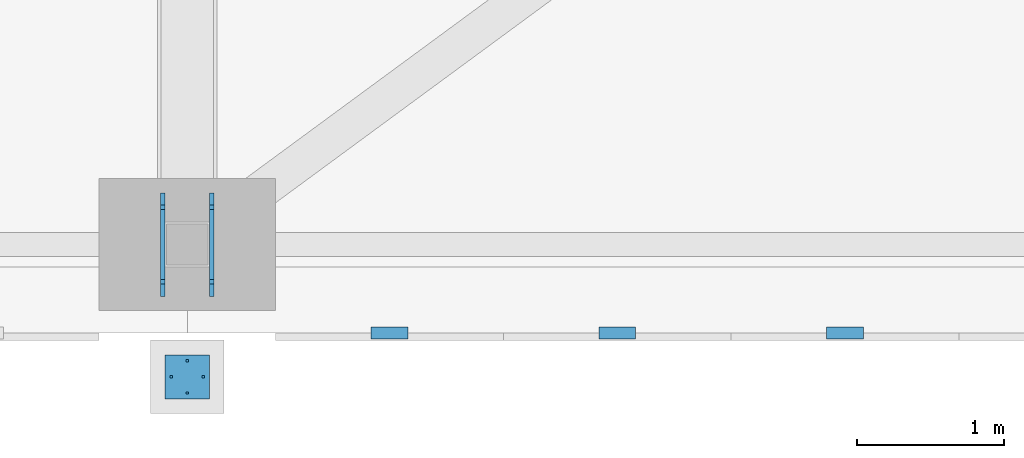
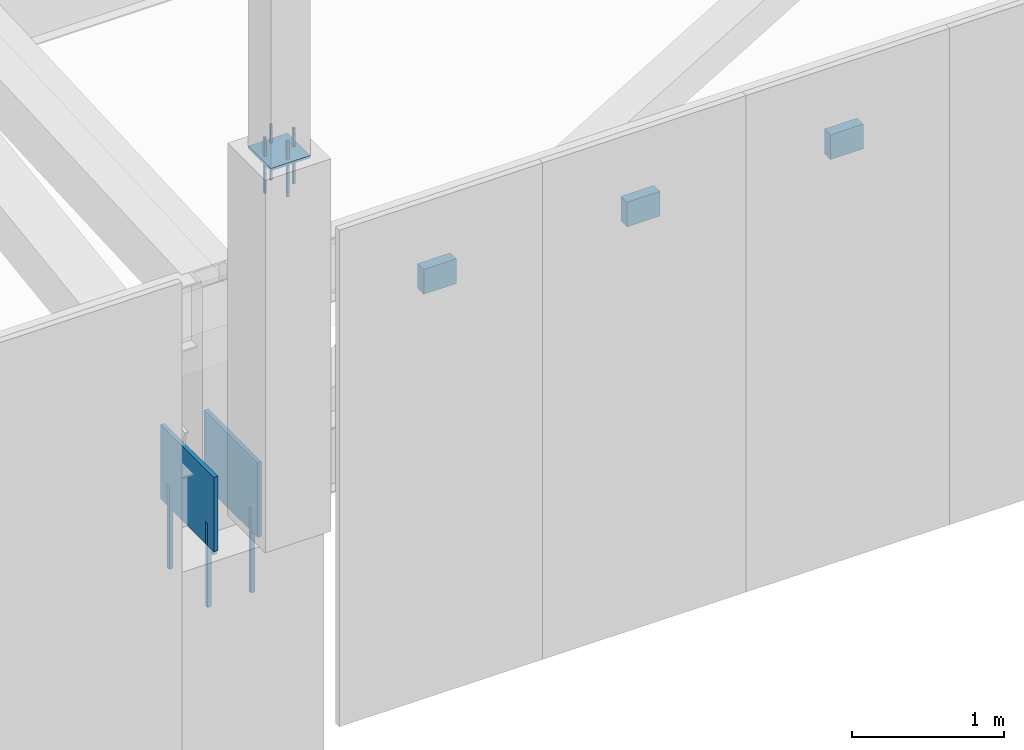
# One storey, part 131 of 278: 8 mechanical fasteners, 6 discrete accessories.
"""IFC4 building model written with IfcOpenShell, lengths in metres."""

from ifc_helpers import new_model, si_unit, direction, frame, origin, origin_2d, place, context, subcontext, project, spatial, rectangle, extrude, material, layer, layer_set, type_object, element, save


model = new_model("IFC4")

# Units and contexts
model_context = context("Model", 3, precision=1e-05, world=origin(), true_north=direction((0.0, 1.0)))
body_context = subcontext(model_context, "Body", "Model", "MODEL_VIEW")
ifc_project = project(units=[si_unit("LENGTHUNIT", "METRE"), si_unit("AREAUNIT", "SQUARE_METRE"), si_unit("VOLUMEUNIT", "CUBIC_METRE"), si_unit("PLANEANGLEUNIT", "RADIAN"), si_unit("MASSUNIT", "GRAM", prefix="KILO")], contexts=[model_context])

# Site, building, storey
site_placement = place(None, origin())
site = spatial("IfcSite", under=ifc_project, at=site_placement, CompositionType="ELEMENT")
building_placement = place(site_placement, origin())
building = spatial("IfcBuilding", under=site, at=building_placement, Name="Ogive Plaza Stadium", CompositionType="ELEMENT")
storey_placement = place(building_placement, frame((0.0, 0.0, 29.0)))
storey = spatial("IfcBuildingStorey", under=building, at=storey_placement, Name="Roof", CompositionType="ELEMENT", Elevation=29.0)

# Mechanical fasteners
ifc_material_1 = material(Name="Steel ASTM A992 Grade 50", Category="steel")
mechanical_fastener_type_1 = type_object("IfcMechanicalFastenerType", Name="Anchor bolt M30 x 600", PredefinedType="ANCHORBOLT", material=ifc_material_1)
for number, where, z_axis, x_axis, name in (
    (1, (-20.233642578125, -102.75244140625, 3.0), (0.0, 0.0, 1.0), (0.0, -1.0, 0.0), "ANCHOR BOLT 16 BF 1.1"),
    (2, (-20.233642578125, -102.24755859375, 3.0), (0.0, 0.0, 1.0), (0.0, -1.0, 0.0), "ANCHOR BOLT 16 BF 1.2"),
    (3, (-20.56640625, -102.75244140625, 3.0), (0.0, 0.0, 1.0), (0.0, -1.0, 0.0), "ANCHOR BOLT 16 BF 2.1"),
    (4, (-20.56640625, -102.24755859375, 3.0), (0.0, 0.0, 1.0), (0.0, -1.0, 0.0), "ANCHOR BOLT 16 BF 2.2"),
):
    element("IfcMechanicalFastener", number, at=place(storey_placement, frame(where, z_axis=z_axis, x_axis=x_axis)), inside=storey, type_object=mechanical_fastener_type_1, Name=name, PredefinedType="ANCHORBOLT", context=body_context, shape_type="SweptSolid", body=[
        extrude(rectangle(XDim=0.030029296875, YDim=0.030029296875, at=origin_2d()), origin(), (0.0, 0.0, 1.0), 0.679931640625),
    ])
ifc_material_2 = material(Name="Steel ASTM A992 Grade 50", Category="steel")
mechanical_fastener_type_2 = type_object("IfcMechanicalFastenerType", Name="Spire anchor bolt M16 x 450", PredefinedType="ANCHORBOLT", material=ifc_material_2)
for number, where, z_axis, x_axis, name in (
    (5, (-20.39990234375, -103.510009765625, 6.7001953125), (0.0, 0.0, 1.0), (0.0, -1.0, 0.0), "SPIRE ANCHOR BOLT 16 1"),
    (6, (-20.39990234375, -103.2900390625, 6.7001953125), (0.0, 0.0, 1.0), (0.0, -1.0, 0.0), "SPIRE ANCHOR BOLT 16 2"),
    (7, (-20.2900390625, -103.39990234375, 6.7001953125), (0.0, 0.0, 1.0), (0.0, -1.0, 0.0), "SPIRE ANCHOR BOLT 16 3"),
    (8, (-20.510009765625, -103.39990234375, 6.7001953125), (0.0, 0.0, 1.0), (0.0, -1.0, 0.0), "SPIRE ANCHOR BOLT 16 4"),
):
    element("IfcMechanicalFastener", number, at=place(storey_placement, frame(where, z_axis=z_axis, x_axis=x_axis)), inside=storey, type_object=mechanical_fastener_type_2, Name=name, PredefinedType="ANCHORBOLT", context=body_context, shape_type="SweptSolid", body=[
        extrude(rectangle(XDim=0.01611328125, YDim=0.01611328125, at=origin_2d()), origin(), (0.0, 0.0, 1.0), 0.449951171875),
    ])

# Discrete accessories
ifc_material_3 = material(Name="Steel ASTM A992 Grade 50", Category="steel")
ifc_layer_1 = layer(ifc_material_3, 0.02001953125)
ifc_layer_set_1 = layer_set([ifc_layer_1], Name="Steel ASTM A992 Grade 50")
discrete_accessory_type_1 = type_object("IfcDiscreteAccessoryType", Name="Spire seat plate 20", PredefinedType="ANCHORPLATE", material=ifc_layer_set_1)
discrete_accessory_placement = place(storey_placement, frame((-20.39990234375, -103.39990234375, 6.98095703125), z_axis=(0.0, 0.0, 1.0), x_axis=(0.0, -1.0, 0.0)))
element("IfcDiscreteAccessory", 9, at=discrete_accessory_placement, inside=storey, type_object=discrete_accessory_type_1, Name="SPIRE SEAT PLATE 16", PredefinedType="ANCHORPLATE", context=body_context, shape_type="SweptSolid", body=[
    extrude(rectangle(XDim=0.300048828125, YDim=0.300048828125, at=origin_2d()), origin(), (0.0, 0.0, 1.0), 0.02001953125),
])
ifc_material_4 = material(Name="Steel ASTM A572 Grade 50", Category="steel")
ifc_layer_2 = layer(ifc_material_4, 0.080078125)
ifc_layer_set_2 = layer_set([ifc_layer_2], Name="Steel ASTM A572 Grade 50")
discrete_accessory_type_2 = type_object("IfcDiscreteAccessoryType", Name="Tracery screen bracket 250x200", PredefinedType="BRACKET", material=ifc_layer_set_2)
for number, where, z_axis, x_axis, name in (
    (10, (-15.925048828125, -103.102294921875, 5.25), (0.0, 0.0, 1.0), (-1.0, 0.0, 0.0), "TRACERY SCREEN BRACKET B15 6"),
    (11, (-17.47509765625, -103.102294921875, 5.25), (0.0, 0.0, 1.0), (-1.0, 0.0, 0.0), "TRACERY SCREEN BRACKET B15 7"),
    (12, (-19.02490234375, -103.102294921875, 5.25), (0.0, 0.0, 1.0), (-1.0, 0.0, 0.0), "TRACERY SCREEN BRACKET B15 8"),
):
    element("IfcDiscreteAccessory", number, at=place(storey_placement, frame(where, z_axis=z_axis, x_axis=x_axis)), inside=storey, type_object=discrete_accessory_type_2, Name=name, PredefinedType="BRACKET", context=body_context, shape_type="SweptSolid", body=[
        extrude(rectangle(XDim=0.25, YDim=0.080078125, at=origin_2d()), origin(), (0.0, 0.0, 1.0), 0.199951171875),
    ])
ifc_material_5 = material(Name="Steel ASTM A992 Grade 50", Category="steel")
ifc_layer_3 = layer(ifc_material_5, 0.030029296875)
ifc_layer_set_3 = layer_set([ifc_layer_3], Name="Steel ASTM A992 Grade 50")
discrete_accessory_type_3 = type_object("IfcDiscreteAccessoryType", Name="Truss back-stay foot cleat plate 30", PredefinedType="ANCHORPLATE", material=ifc_layer_set_3)
for number, where, z_axis, x_axis, name in (
    (13, (-20.233642578125, -102.5, 3.5), (0.0, 0.0, 1.0), (0.0, -1.0, 0.0), "TRUSS BACK-STAY FOOT CLEAT PLATE 16 1"),
    (14, (-20.56640625, -102.5, 3.5), (0.0, 0.0, 1.0), (0.0, -1.0, 0.0), "TRUSS BACK-STAY FOOT CLEAT PLATE 16 2"),
):
    element("IfcDiscreteAccessory", number, at=place(storey_placement, frame(where, z_axis=z_axis, x_axis=x_axis)), inside=storey, type_object=discrete_accessory_type_3, Name=name, PredefinedType="ANCHORPLATE", context=body_context, shape_type="SweptSolid", body=[
        extrude(rectangle(XDim=0.704833984375, YDim=0.030029296875, at=origin_2d()), origin(), (0.0, 0.0, 1.0), 0.60009765625),
    ])

save(model, "model.ifc")
